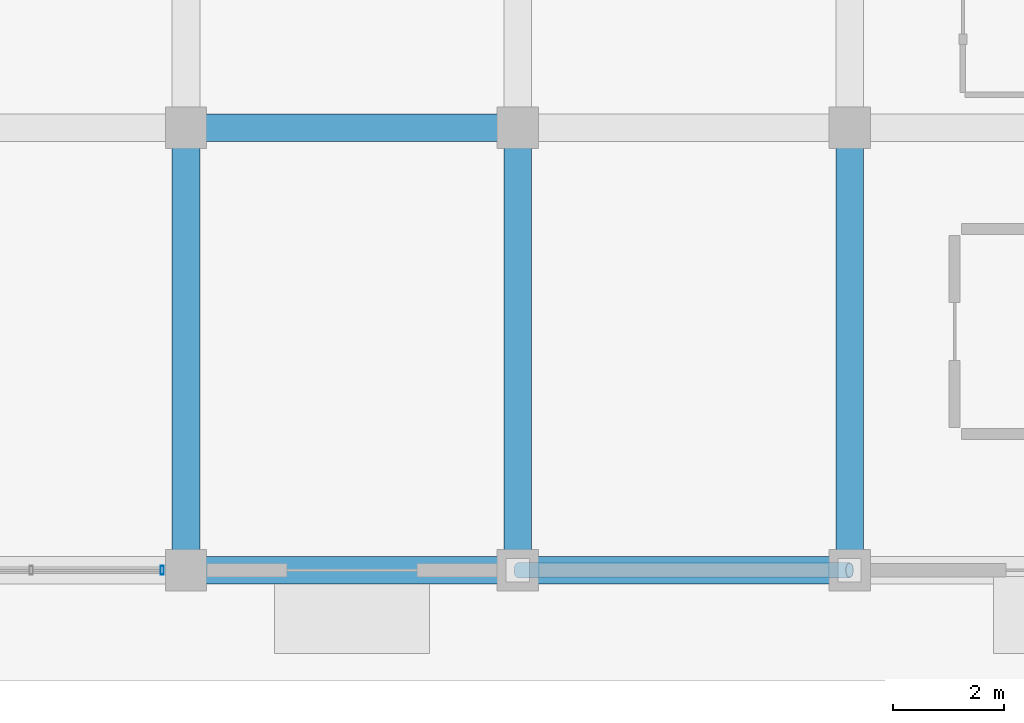
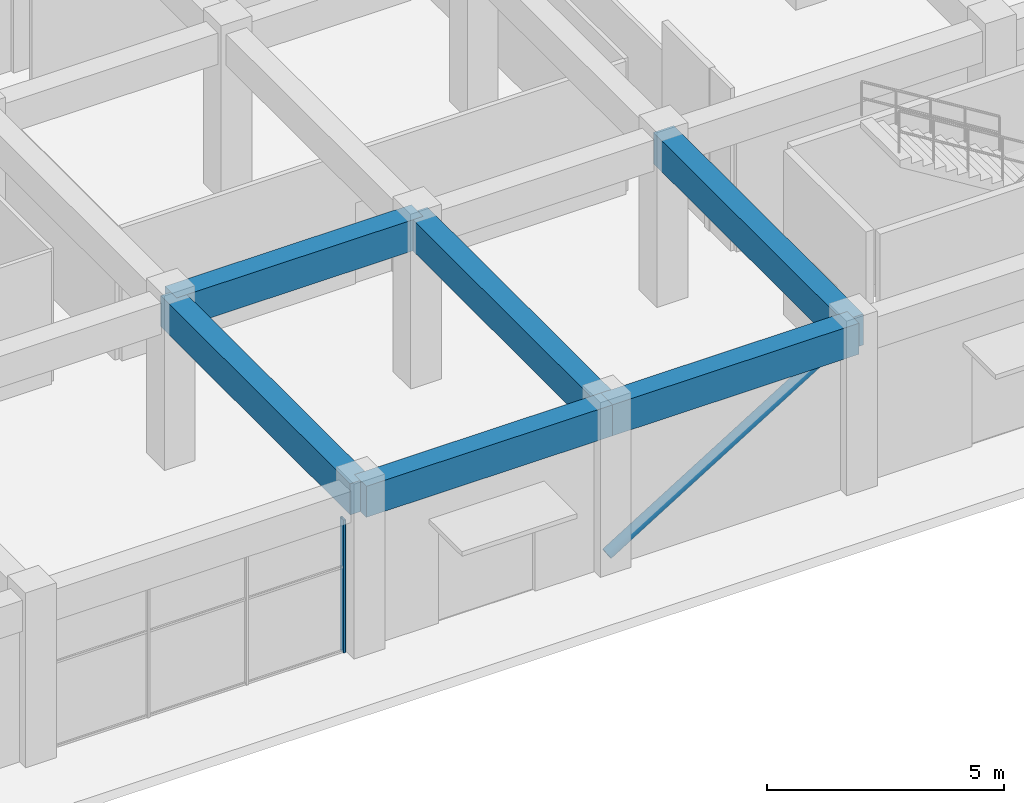
# One storey, part 16 of 40: 6 beams, 2 members, 1 element without a shape of its own.
"""IFC4 building model written with IfcOpenShell, lengths in metres."""

from ifc_helpers import new_model, si_unit, direction, frame, origin, origin_2d, place, context, subcontext, project, spatial, rectangle, hollow_rectangle, hollow_circle, extrude, material, layer, layer_set, material_profile, profile_set, type_object, element, aggregate, save


model = new_model("IFC4")

# Units and contexts
model_context = context("Model", 3, precision=1e-05, world=origin(), true_north=direction((0.0, 1.0)))
body_context = subcontext(model_context, "Body", "Model", "MODEL_VIEW")
ifc_project = project(units=[si_unit("LENGTHUNIT", "METRE"), si_unit("AREAUNIT", "SQUARE_METRE"), si_unit("VOLUMEUNIT", "CUBIC_METRE"), si_unit("PLANEANGLEUNIT", "RADIAN"), si_unit("MASSUNIT", "GRAM", prefix="KILO")], contexts=[model_context])

# Site, building, storey
site_placement = place(None, origin())
site = spatial("IfcSite", under=ifc_project, at=site_placement, CompositionType="ELEMENT")
building_placement = place(site_placement, origin())
building = spatial("IfcBuilding", under=site, at=building_placement, Name="Kelanora Arch Commons", CompositionType="ELEMENT")
storey_placement = place(building_placement, origin())
storey = spatial("IfcBuildingStorey", under=building, at=storey_placement, Name="L00", CompositionType="ELEMENT", Elevation=0.0)

# Beams
ifc_material_1 = material(Name="Concrete C40/50", Category="concrete")
ifc_material_profile_1 = material_profile(ifc_material_1, rectangle(XDim=0.5, YDim=0.800048828125, at=origin_2d()), Name="RCB500x800")
ifc_profile_set_1 = profile_set([ifc_material_profile_1], Name="Concrete C40/50")
beam_type = type_object("IfcBeamType", Name="BM-MKT-RC1", PredefinedType="BEAM", material=ifc_profile_set_1)
beam_1_placement = place(storey_placement, frame((68.0, 4.0, 3.840087890625), z_axis=(1.0, 0.0, 0.0), x_axis=(0.0, 1.0, 0.0)))
element("IfcBeam", 1, at=beam_1_placement, inside=storey, type_object=beam_type, Name="Market/Basement Frame Beam 115 L00", PredefinedType="BEAM", context=body_context, shape_type="SweptSolid", body=[
    extrude(rectangle(XDim=0.5, YDim=0.800048828125, at=origin_2d()), origin(), (0.0, 0.0, 1.0), 6.0),
])
beam_2_placement = place(storey_placement, frame((68.0, 4.0, 3.840087890625), z_axis=(0.0, 1.0, 0.0), x_axis=(-1.0, 0.0, 0.0)))
element("IfcBeam", 2, at=beam_2_placement, inside=storey, type_object=beam_type, Name="Market/Basement Frame Beam 116 L00", PredefinedType="BEAM", context=body_context, shape_type="SweptSolid", body=[
    extrude(rectangle(XDim=0.5, YDim=0.800048828125, at=origin_2d()), origin(), (0.0, 0.0, 1.0), 8.0),
])
for number, where, z_axis, x_axis, name in (
    (3, (68.0, 12.0, 3.840087890625), (1.0, 0.0, 0.0), (0.0, 1.0, 0.0), "Market/Basement Frame Beam 117 L00"),
    (4, (74.0, 4.0, 3.840087890625), (1.0, 0.0, 0.0), (0.0, 1.0, 0.0), "Market/Basement Frame Beam 122 L00"),
):
    element("IfcBeam", number, at=place(storey_placement, frame(where, z_axis=z_axis, x_axis=x_axis)), inside=storey, type_object=beam_type, Name=name, PredefinedType="BEAM", context=body_context, shape_type="SweptSolid", body=[
        extrude(rectangle(XDim=0.5, YDim=0.800048828125, at=origin_2d()), origin(), (0.0, 0.0, 1.0), 6.0),
    ])
for number, where, z_axis, x_axis, name in (
    (5, (74.0, 4.0, 3.840087890625), (0.0, 1.0, 0.0), (-1.0, 0.0, 0.0), "Market/Basement Frame Beam 123 L00"),
    (6, (80.0, 4.0, 3.840087890625), (0.0, 1.0, 0.0), (-1.0, 0.0, 0.0), "Market/Basement Frame Beam 130 L00"),
):
    element("IfcBeam", number, at=place(storey_placement, frame(where, z_axis=z_axis, x_axis=x_axis)), inside=storey, type_object=beam_type, Name=name, PredefinedType="BEAM", context=body_context, shape_type="SweptSolid", body=[
        extrude(rectangle(XDim=0.5, YDim=0.800048828125, at=origin_2d()), origin(), (0.0, 0.0, 1.0), 8.0),
    ])

# Curtain wall, member
ifc_material_2 = material(Name="Terracotta ceramic-fritted low-E glass and aluminium", Category="masonry")
ifc_layer = layer(ifc_material_2, 0.16796875)
ifc_layer_set = layer_set([ifc_layer], Name="Terracotta ceramic-fritted low-E glass and aluminium")
curtain_wall_type = type_object("IfcCurtainWallType", Name="CW-SYS-07", PredefinedType="NOTDEFINED", material=ifc_layer_set)
curtain_wall_placement = place(storey_placement, origin())
curtain_wall = element("IfcCurtainWall", 7, at=curtain_wall_placement, inside=storey, type_object=curtain_wall_type, Name="Market Hall Arcade Curtain Wall L00-07", PredefinedType="NOTDEFINED")
ifc_material_3 = material(Name="Powder-coated aluminium terracotta", Category="masonry")
ifc_material_profile_2 = material_profile(ifc_material_3, hollow_rectangle(XDim=0.159912109375, YDim=0.06005859375, WallThickness=0.0048828125, InnerFilletRadius=0.0048828125, OuterFilletRadius=0.010009765625, at=origin_2d()), Name="CWM160x60")
ifc_profile_set_2 = profile_set([ifc_material_profile_2], Name="Powder-coated aluminium terracotta")
member_type_1 = type_object("IfcMemberType", Name="CWM-STD", PredefinedType="MULLION", material=ifc_profile_set_2)
member_1_placement = place(storey_placement, frame((67.570068359375, 4.0, 0.0), z_axis=(0.0, 0.0, 1.0), x_axis=(0.0, 1.0, 0.0)))
member_1 = element("IfcMember", 8, at=member_1_placement, type_object=member_type_1, Name="CW-07 mullion 4", PredefinedType="MULLION", context=body_context, shape_type="SweptSolid", body=[
    extrude(hollow_rectangle(XDim=0.159912109375, YDim=0.06005859375, WallThickness=0.0048828125, InnerFilletRadius=0.0048828125, OuterFilletRadius=0.010009765625, at=origin_2d()), origin(), (0.0, 0.0, 1.0), 3.419921875),
])
aggregate(curtain_wall, [member_1])

# Member
ifc_material_4 = material(Name="Steel S355", Category="steel")
ifc_material_profile_3 = material_profile(ifc_material_4, hollow_circle(Radius=0.136474609375, WallThickness=0.012451171875, at=origin_2d()), Name="CHS273x12.5")
ifc_profile_set_3 = profile_set([ifc_material_profile_3], Name="Steel S355")
member_type_2 = type_object("IfcMemberType", Name="MEM-MKT-BRACE", PredefinedType="BRACE", material=ifc_profile_set_3)
member_2_placement = place(storey_placement, frame((74.0, 4.0, 0.25), z_axis=(0.851173964427, 0.0, 0.524883684525), x_axis=(0.0, 1.0, 0.0)))
element("IfcMember", 9, at=member_2_placement, inside=storey, type_object=member_type_2, Name="Market Hall Lateral Brace 02 L00", PredefinedType="BRACE", context=body_context, shape_type="SweptSolid", body=[
    extrude(hollow_circle(Radius=0.136474609375, WallThickness=0.012451171875, at=origin_2d()), origin(), (0.0, 0.0, 1.0), 7.049072265625),
])

save(model, "model.ifc")
